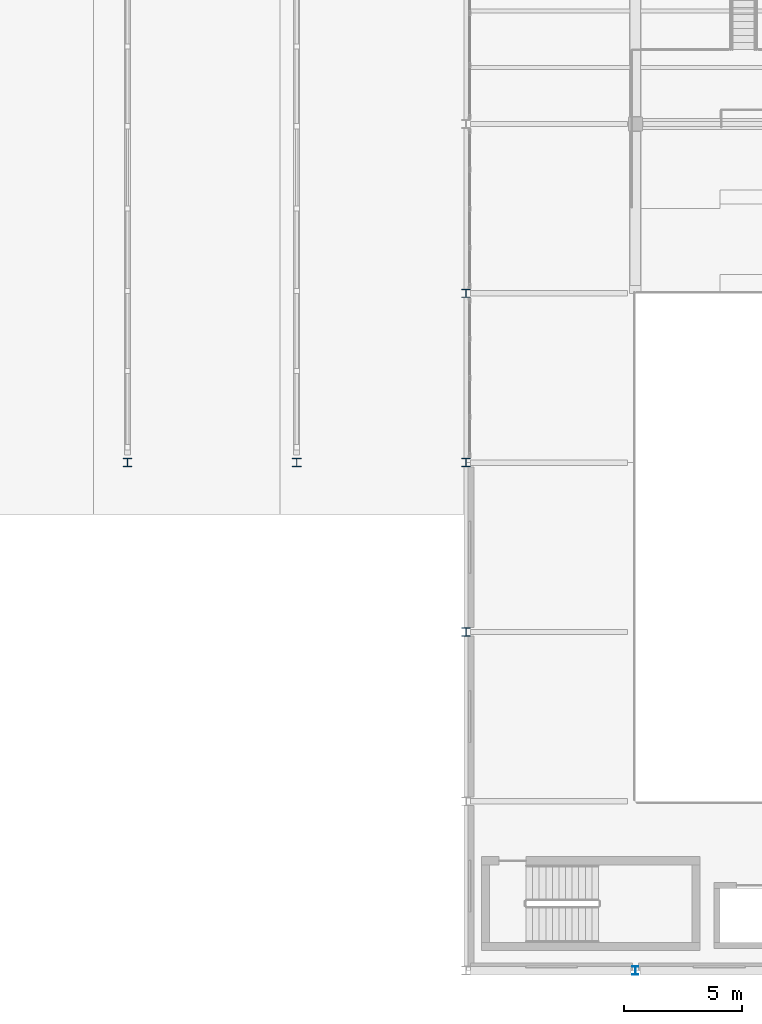
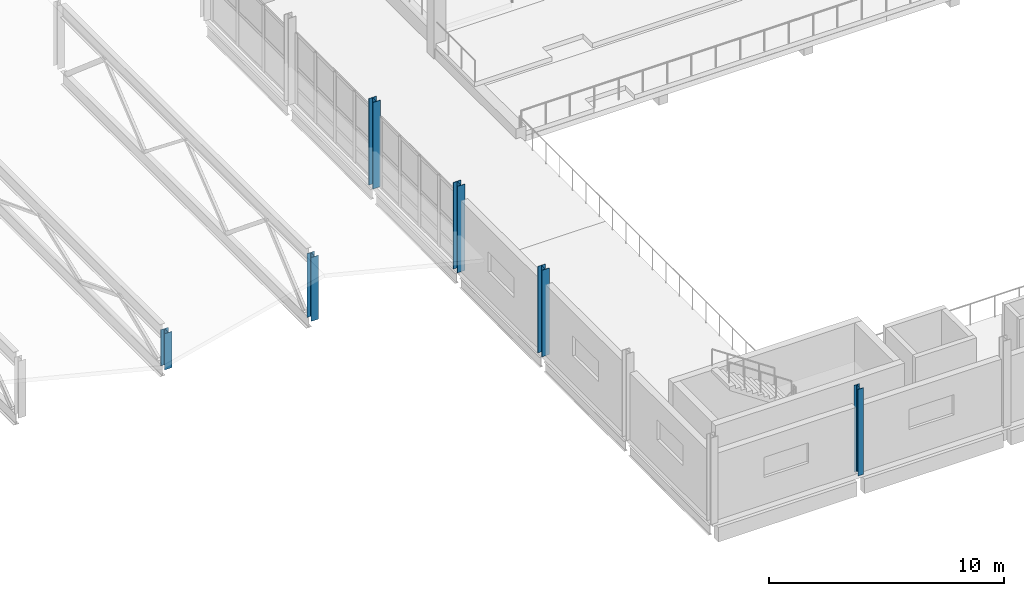
# One storey, part 6 of 123: 6 columns.
"""IFC4 building model written with IfcOpenShell, lengths in metres."""

import ifcopenshell
import ifcopenshell.guid

model = None  # the IFC model being written
_history = None  # IfcOwnerHistory: only IFC2X3 demands one
_inside = {}  # id of a spatial element -> (the spatial element, [elements in it])
_under = {}  # id of a project, library or spatial element -> (it, [spatial elements below it])
_declared = {}  # id of a project -> (the project, [libraries it declares])
_typed = {}  # id of a type object -> (the type object, [elements of that type])
_made_of = {}  # id of a material, layer set ... -> (it, [elements and type objects made of it])


def new_model(schema):
    """Start an empty IFC model of exactly this schema.

    Asked for "IFC4X3", IfcOpenShell would pick the latest addendum, in which some entities
    have other attributes; the version numbers below select the first issue.
    IFC2X3 requires an IfcOwnerHistory on every rooted entity: one is made here for all.
    """
    global model, _history
    if schema == "IFC4X3":
        model = ifcopenshell.file(schema_version=(4, 3, 0, 0))
    else:
        model = ifcopenshell.file(schema=schema)
    _inside.clear()
    _under.clear()
    _declared.clear()
    _typed.clear()
    _made_of.clear()
    _history = None
    if model.schema == "IFC2X3":
        org = make("IfcOrganization", Name="unknown")
        user = make(
            "IfcPersonAndOrganization",
            ThePerson=make("IfcPerson", FamilyName="unknown"),
            TheOrganization=org,
        )
        app = make(
            "IfcApplication",
            ApplicationDeveloper=org,
            Version="unknown",
            ApplicationFullName="unknown",
            ApplicationIdentifier="unknown",
        )
        _history = make(
            "IfcOwnerHistory",
            OwningUser=user,
            OwningApplication=app,
            ChangeAction="ADDED",
            CreationDate=0,
        )
    return model


def make(cls, **values):
    """One entity of the class cls with the attributes given. An attribute that is None is left unset."""
    return model.create_entity(
        cls, **{name: value for name, value in values.items() if value is not None}
    )


def rooted(cls, **values):
    """An entity with a GlobalId (a new one), such as an element, a storey or a relation."""
    return make(cls, GlobalId=ifcopenshell.guid.new(), OwnerHistory=_history, **values)


def si_unit(unit_type, name, prefix=None):
    """IfcSIUnit, for example si_unit("LENGTHUNIT", "METRE", prefix="MILLI")."""
    return make("IfcSIUnit", UnitType=unit_type, Prefix=prefix, Name=name)


def assignment(units):
    """IfcUnitAssignment: the units of a project."""
    return None if units is None else make("IfcUnitAssignment", Units=units)


def point(xyz):
    """IfcCartesianPoint."""
    return None if xyz is None else make("IfcCartesianPoint", Coordinates=xyz)


def direction(xyz):
    """IfcDirection."""
    return None if xyz is None else make("IfcDirection", DirectionRatios=xyz)


def frame(location, z_axis=None, x_axis=None):
    """IfcAxis2Placement3D, a coordinate frame: its origin and axes. An axis left out is left unset."""
    return make(
        "IfcAxis2Placement3D",
        Location=point(location),
        Axis=direction(z_axis),
        RefDirection=direction(x_axis),
    )


def frame_2d(location, x_axis=None):
    """IfcAxis2Placement2D, a coordinate frame in the plane: its origin and x axis."""
    return make(
        "IfcAxis2Placement2D", Location=point(location), RefDirection=direction(x_axis)
    )


def origin():
    """The frame at (0, 0, 0) with its axes left unset."""
    return frame((0.0, 0.0, 0.0))


def origin_2d():
    """The frame at (0, 0) in the plane with its x axis left unset."""
    return frame_2d((0.0, 0.0))


def place(relative_to, where):
    """IfcLocalPlacement: puts the frame where relative to a parent placement (None: the world)."""
    return make(
        "IfcLocalPlacement", PlacementRelTo=relative_to, RelativePlacement=where
    )


def context(
    kind, dimensions, precision=None, world=None, true_north=None, identifier=None
):
    """IfcGeometricRepresentationContext, for example the 3D "Model" context."""
    return make(
        "IfcGeometricRepresentationContext",
        ContextIdentifier=identifier,
        ContextType=kind,
        CoordinateSpaceDimension=dimensions,
        Precision=precision,
        WorldCoordinateSystem=world,
        TrueNorth=true_north,
    )


def subcontext(parent, identifier, kind, view, scale=None):
    """IfcGeometricRepresentationSubContext, for example "Body" below "Model"."""
    return make(
        "IfcGeometricRepresentationSubContext",
        ContextIdentifier=identifier,
        ContextType=kind,
        ParentContext=parent,
        TargetScale=scale,
        TargetView=view,
    )


def project(units=None, contexts=None):
    """IfcProject with its units and contexts."""
    return rooted(
        "IfcProject",
        Name="project",
        RepresentationContexts=contexts,
        UnitsInContext=assignment(units),
    )


def spatial(cls, under=None, at=None, **own):
    """A site, building, storey or space (cls), placed at a placement, below another one or the project."""
    s = rooted(cls, ObjectPlacement=at, **own)
    if under is not None:
        _under.setdefault(under.id(), (under, []))[1].append(s)
    return s


def profile(cls, at=None, kind="AREA", **sizes):
    """A parametric profile (cls). Its sizes go by their IFC names, for example OverallWidth=200.0."""
    return make(cls, ProfileType=kind, Position=at, **sizes)


def i_section(**sizes):
    """IfcIShapeProfileDef."""
    return profile("IfcIShapeProfileDef", **sizes)


def extrude(swept, where, along, depth):
    """IfcExtrudedAreaSolid: the profile swept, set in the frame where, extruded along a direction by depth."""
    return make(
        "IfcExtrudedAreaSolid",
        SweptArea=swept,
        Position=where,
        ExtrudedDirection=direction(along),
        Depth=depth,
    )


def shape(context_of_items, identifier, shape_type, items):
    """IfcShapeRepresentation: the items that make up one representation, for example the "Body"."""
    return make(
        "IfcShapeRepresentation",
        ContextOfItems=context_of_items,
        RepresentationIdentifier=identifier,
        RepresentationType=shape_type,
        Items=items,
    )


def material(Name=None, Category=None):
    """IfcMaterial."""
    return make("IfcMaterial", Name=Name, Category=Category)


def material_profile(
    of_material, cross_section, Name=None, Category=None, Priority=None
):
    """IfcMaterialProfile: a cross section and its material."""
    return make(
        "IfcMaterialProfile",
        Name=Name,
        Material=of_material,
        Profile=cross_section,
        Priority=Priority,
        Category=Category,
    )


def profile_set(profiles, Name=None, composite=None):
    """IfcMaterialProfileSet."""
    return make(
        "IfcMaterialProfileSet",
        Name=Name,
        MaterialProfiles=profiles,
        CompositeProfile=composite,
    )


def made_of(thing, what):
    """Note that an element or type object is made of a material, layer set ...; save() writes the relation."""
    if what is not None:
        _made_of.setdefault(what.id(), (what, []))[1].append(thing)
    return thing


def type_object(cls, material=None, **own):
    """A type object (cls), such as IfcWallType, which elements share."""
    return made_of(rooted(cls, **own), material)


def element(
    cls,
    number,
    at=None,
    inside=None,
    cuts=None,
    type_object=None,
    material=None,
    context=None,
    identifier="Body",
    shape_type=None,
    held_by="IfcProductDefinitionShape",
    body=None,
    shapes=None,
    **own,
):
    """One element of the class cls, such as IfcWall. Its Tag is "e" and its number.

    at: its placement. inside: the storey or other place that contains it. cuts: it is an
    opening in that element (IfcRelVoidsElement). A single representation is given by context,
    identifier, shape_type and body (its items); several are given by shapes. held_by: the class
    of the entity that holds the representations. save() writes the other relations.
    """
    e = rooted(cls, Tag="e%d" % number, ObjectPlacement=at, **own)
    if body is not None:
        shapes = [shape(context, identifier, shape_type, body)]
    if shapes is not None:
        e.Representation = make(held_by, Representations=shapes)
    if inside is not None:
        _inside.setdefault(inside.id(), (inside, []))[1].append(e)
    if cuts is not None:
        rooted(
            "IfcRelVoidsElement", RelatingBuildingElement=cuts, RelatedOpeningElement=e
        )
    if type_object is not None:
        _typed.setdefault(type_object.id(), (type_object, []))[1].append(e)
    return made_of(e, material)


def aggregate(whole, parts):
    """IfcRelAggregates: a whole, such as a stair, and the parts it consists of."""
    return rooted("IfcRelAggregates", RelatingObject=whole, RelatedObjects=parts)


def save(model, path):
    """Write the relations noted so far, then the file.

    IfcRelAggregates (storeys below a building ...), IfcRelContainedInSpatialStructure (elements
    in a storey), IfcRelDefinesByType, IfcRelAssociatesMaterial and IfcRelDeclares: one each for
    every whole, place, type object, material and project.
    """
    for whole, parts in _under.values():
        aggregate(whole, parts)
    for where, things in _inside.values():
        rooted(
            "IfcRelContainedInSpatialStructure",
            RelatedElements=things,
            RelatingStructure=where,
        )
    for kind, things in _typed.values():
        rooted("IfcRelDefinesByType", RelatedObjects=things, RelatingType=kind)
    for what, things in _made_of.values():
        rooted("IfcRelAssociatesMaterial", RelatedObjects=things, RelatingMaterial=what)
    for by, libraries in _declared.values():
        rooted("IfcRelDeclares", RelatingContext=by, RelatedDefinitions=libraries)
    model.write(path)


model = new_model("IFC4")

# Units and contexts
model_context = context("Model", 3, precision=1e-05, world=origin(), true_north=direction((0.0, 1.0)))
body_context = subcontext(model_context, "Body", "Model", "MODEL_VIEW")
ifc_project = project(units=[si_unit("LENGTHUNIT", "METRE"), si_unit("AREAUNIT", "SQUARE_METRE"), si_unit("VOLUMEUNIT", "CUBIC_METRE"), si_unit("PLANEANGLEUNIT", "RADIAN"), si_unit("MASSUNIT", "GRAM", prefix="KILO")], contexts=[model_context])

# Site, building, storey
site_placement = place(None, origin())
site = spatial("IfcSite", under=ifc_project, at=site_placement, CompositionType="ELEMENT")
building_placement = place(site_placement, origin())
building = spatial("IfcBuilding", under=site, at=building_placement, Name="Kalmorath City Hall", CompositionType="ELEMENT")
storey_placement = place(building_placement, frame((0.0, 0.0, 10.199951171875)))
storey = spatial("IfcBuildingStorey", under=building, at=storey_placement, Name="L02", CompositionType="ELEMENT", Elevation=10.199951171875)

# Columns
ifc_material_1 = material(Name="Steel ASTM A992 Grade 50", Category="steel")
ifc_material_profile_1 = material_profile(ifc_material_1, i_section(OverallWidth=0.256103515625, OverallDepth=0.360107421875, WebThickness=0.011474609375, FlangeThickness=0.02001953125, FilletRadius=0.014892578125, at=origin_2d()), Name="W14X74")
ifc_profile_set_1 = profile_set([ifc_material_profile_1], Name="Steel ASTM A992 Grade 50")
column_type_1 = type_object("IfcColumnType", Name="Steel wide-flange column W14X74", PredefinedType="COLUMN", material=ifc_profile_set_1)
column_1_placement = place(storey_placement, frame((122.39990234375, 0.0, 0.0), z_axis=(0.0, 0.0, 1.0), x_axis=(1.0, 0.0, 0.0)))
element("IfcColumn", 1, at=column_1_placement, inside=storey, type_object=column_type_1, Name="L02 column SC4 (18/1)", PredefinedType="COLUMN", context=body_context, shape_type="SweptSolid", body=[
    extrude(i_section(OverallWidth=0.256103515625, OverallDepth=0.360107421875, WebThickness=0.011474609375, FlangeThickness=0.02001953125, FilletRadius=0.014892578125, at=origin_2d()), origin(), (0.0, 0.0, 1.0), 4.5),
])
ifc_material_2 = material(Name="Steel ASTM A992 Grade 50", Category="steel")
ifc_material_profile_2 = material_profile(ifc_material_2, i_section(OverallWidth=0.368896484375, OverallDepth=0.35595703125, WebThickness=0.01123046875, FlangeThickness=0.01806640625, FilletRadius=0.01806640625, at=origin_2d()), Name="W14X90")
ifc_profile_set_2 = profile_set([ifc_material_profile_2], Name="Steel ASTM A992 Grade 50")
column_type_2 = type_object("IfcColumnType", Name="Steel wide-flange column W14X90", PredefinedType="COLUMN", material=ifc_profile_set_2)
for number, where, z_axis, x_axis, name in (
    (2, (115.199951171875, 14.39990234375, 0.0), (0.0, 0.0, 1.0), (1.0, 0.0, 0.0), "L02 column SC3 (17/3)"),
    (3, (115.199951171875, 21.60009765625, 0.0), (0.0, 0.0, 1.0), (1.0, 0.0, 0.0), "L02 column SC3 (17/4)"),
    (4, (115.199951171875, 28.800048828125, 0.0), (0.0, 0.0, 1.0), (1.0, 0.0, 0.0), "L02 column SC3 (17/5)"),
):
    element("IfcColumn", number, at=place(storey_placement, frame(where, z_axis=z_axis, x_axis=x_axis)), inside=storey, type_object=column_type_2, Name=name, PredefinedType="COLUMN", context=body_context, shape_type="SweptSolid", body=[
        extrude(i_section(OverallWidth=0.368896484375, OverallDepth=0.35595703125, WebThickness=0.01123046875, FlangeThickness=0.01806640625, FilletRadius=0.01806640625, at=origin_2d()), origin(), (0.0, 0.0, 1.0), 4.5),
    ])
column_2_placement = place(storey_placement, frame((100.800048828125, 21.60009765625, 0.0), z_axis=(0.0, 0.0, 1.0), x_axis=(1.0, 0.0, 0.0)))
element("IfcColumn", 5, at=column_2_placement, inside=storey, type_object=column_type_2, Name="L02 hall truss column SC3-9.3", PredefinedType="COLUMN", context=body_context, shape_type="SweptSolid", body=[
    extrude(i_section(OverallWidth=0.368896484375, OverallDepth=0.35595703125, WebThickness=0.01123046875, FlangeThickness=0.01806640625, FilletRadius=0.01806640625, at=origin_2d()), origin(), (0.0, 0.0, 1.0), 1.880126953125),
])
column_3_placement = place(storey_placement, frame((108.0, 21.60009765625, 0.0), z_axis=(0.0, 0.0, 1.0), x_axis=(1.0, 0.0, 0.0)))
element("IfcColumn", 6, at=column_3_placement, inside=storey, type_object=column_type_2, Name="L02 hall truss column SC3-10.3", PredefinedType="COLUMN", context=body_context, shape_type="SweptSolid", body=[
    extrude(i_section(OverallWidth=0.368896484375, OverallDepth=0.35595703125, WebThickness=0.01123046875, FlangeThickness=0.01806640625, FilletRadius=0.01806640625, at=origin_2d()), origin(), (0.0, 0.0, 1.0), 3.320068359375),
])

save(model, "model.ifc")
